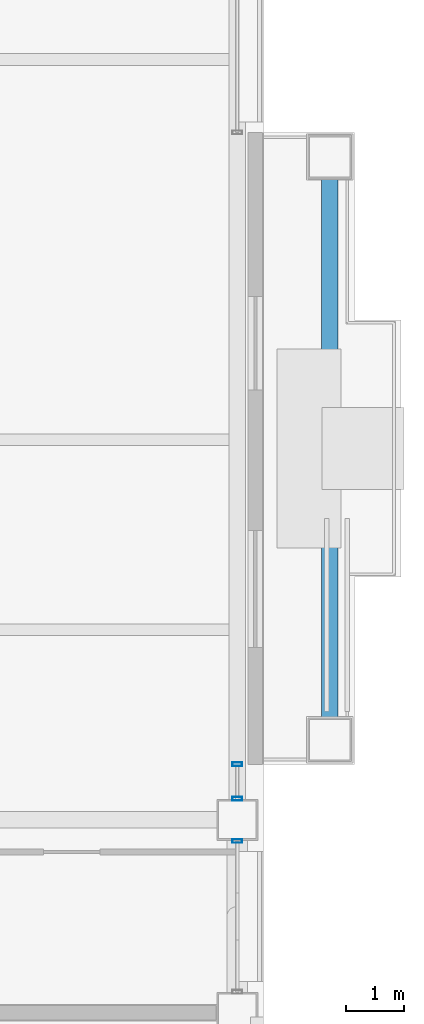
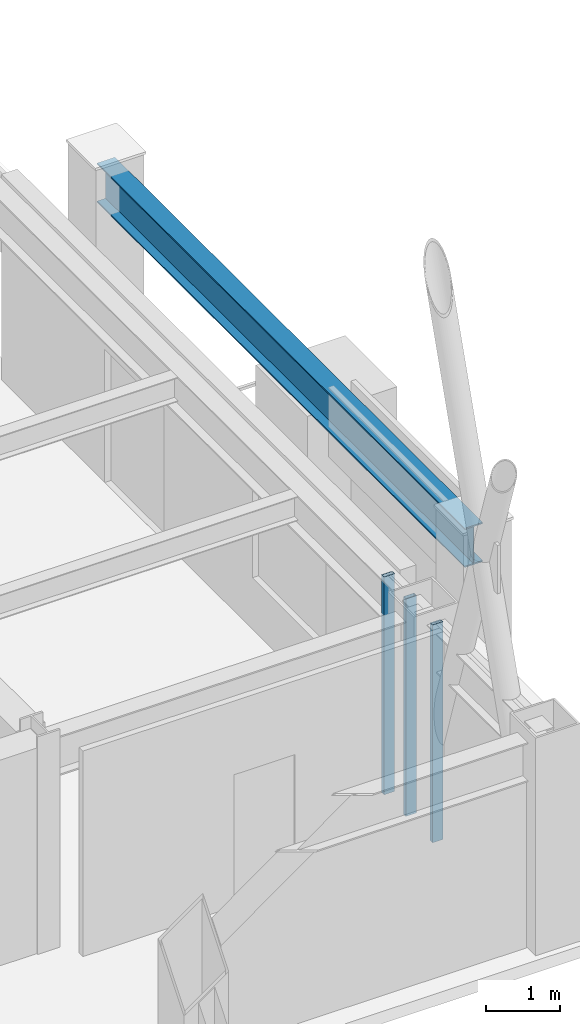
# One storey, part 16 of 33: 3 members, 1 beam, 2 elements without a shape of their own.
"""IFC4 building model written with IfcOpenShell, lengths in metres."""

from ifc_helpers import new_model, si_unit, direction, frame, origin, origin_2d, place, context, subcontext, project, spatial, hollow_rectangle, i_section, extrude, material, layer, layer_set, material_profile, profile_set, type_object, element, aggregate, save


model = new_model("IFC4")

# Units and contexts
model_context = context("Model", 3, precision=1e-05, world=origin(), true_north=direction((0.0, 1.0)))
body_context = subcontext(model_context, "Body", "Model", "MODEL_VIEW")
ifc_project = project(units=[si_unit("LENGTHUNIT", "METRE"), si_unit("AREAUNIT", "SQUARE_METRE"), si_unit("VOLUMEUNIT", "CUBIC_METRE"), si_unit("PLANEANGLEUNIT", "RADIAN"), si_unit("MASSUNIT", "GRAM", prefix="KILO")], contexts=[model_context])

# Site, building, storey
site_placement = place(None, origin())
site = spatial("IfcSite", under=ifc_project, at=site_placement, CompositionType="ELEMENT")
building_placement = place(site_placement, origin())
building = spatial("IfcBuilding", under=site, at=building_placement, Name="Brelmoor Portico Tower", CompositionType="ELEMENT")
storey_placement = place(building_placement, frame((0.0, 0.0, 183.89990234375)))
storey = spatial("IfcBuildingStorey", under=building, at=storey_placement, Name="L48", CompositionType="ELEMENT", Elevation=183.89990234375)

# Beam
ifc_material_1 = material(Name="Steel Q355B", Category="steel")
ifc_material_profile_1 = material_profile(ifc_material_1, i_section(OverallWidth=0.280029296875, OverallDepth=0.64990234375, WebThickness=0.012939453125, FlangeThickness=0.02197265625, at=origin_2d()), Name="HN 650x280x13x22")
ifc_profile_set_1 = profile_set([ifc_material_profile_1], Name="Steel Q355B")
beam_type = type_object("IfcBeamType", Name="BM-SP-650", PredefinedType="SPANDREL", material=ifc_profile_set_1)
beam_placement = place(storey_placement, frame((22.1298828125, -8.3798828125, 3.0751953125), z_axis=(0.0, 1.0, 0.0), x_axis=(-1.0, 0.0, 0.0)))
element("IfcBeam", 1, at=beam_placement, inside=storey, type_object=beam_type, Name="L48 Picture-Frame Perimeter Lintel Beam E1", PredefinedType="SPANDREL", context=body_context, shape_type="SweptSolid", body=[
    extrude(i_section(OverallWidth=0.280029296875, OverallDepth=0.64990234375, WebThickness=0.012939453125, FlangeThickness=0.02197265625, at=origin_2d()), origin(), (0.0, 0.0, 1.0), 9.9599609375),
])

# Curtain wall, member
ifc_material_2 = material(Name="Anodised Aluminium Alloy 6063-T6", Category="aluminium")
ifc_layer_1 = layer(ifc_material_2, 0.179931640625)
ifc_layer_set_1 = layer_set([ifc_layer_1], Name="Anodised Aluminium Alloy 6063-T6")
curtain_wall_type_1 = type_object("IfcCurtainWallType", Name="CW-TOWER-Z3-XB", PredefinedType="NOTDEFINED", material=ifc_layer_set_1)
curtain_wall_1_placement = place(storey_placement, origin())
curtain_wall_1 = element("IfcCurtainWall", 2, at=curtain_wall_1_placement, inside=storey, type_object=curtain_wall_type_1, Name="L48 Curtain Wall CW-L48-4L-1", PredefinedType="NOTDEFINED")
ifc_material_profile_2 = material_profile(ifc_material_2, hollow_rectangle(XDim=0.06494140625, YDim=0.1650390625, WallThickness=0.00390625, at=origin_2d()), Name="ALU MULLION 65x165")
ifc_profile_set_2 = profile_set([ifc_material_profile_2], Name="Anodised Aluminium Alloy 6063-T6")
member_type = type_object("IfcMemberType", Name="MB-CW-MULL-165", PredefinedType="MULLION", material=ifc_profile_set_2)
member_1_placement = place(storey_placement, frame((20.550048828125, -10.110107421875, -0.199951171875), z_axis=(0.0, 0.0, 1.0), x_axis=(0.0, 1.0, 0.0)))
member_1 = element("IfcMember", 3, at=member_1_placement, type_object=member_type, Name="CW-L48-4L-1 Mullion 01", PredefinedType="MULLION", context=body_context, shape_type="SweptSolid", body=[
    extrude(hollow_rectangle(XDim=0.06494140625, YDim=0.1650390625, WallThickness=0.00390625, at=origin_2d()), origin(), (0.0, 0.0, 1.0), 3.60009765625),
])
aggregate(curtain_wall_1, [member_1])

# Curtain wall, members
ifc_layer_2 = layer(ifc_material_2, 0.179931640625)
ifc_layer_set_2 = layer_set([ifc_layer_2], Name="Anodised Aluminium Alloy 6063-T6")
curtain_wall_type_2 = type_object("IfcCurtainWallType", Name="CW-TOWER-Z3", PredefinedType="NOTDEFINED", material=ifc_layer_set_2)
curtain_wall_2_placement = place(storey_placement, origin())
curtain_wall_2 = element("IfcCurtainWall", 4, at=curtain_wall_2_placement, inside=storey, type_object=curtain_wall_type_2, Name="L48 Curtain Wall CW-L48-4L-2", PredefinedType="NOTDEFINED")
member_2_placement = place(storey_placement, frame((20.550048828125, -9.389892578125, -0.199951171875), z_axis=(0.0, 0.0, 1.0), x_axis=(0.0, 1.0, 0.0)))
member_2 = element("IfcMember", 5, at=member_2_placement, type_object=member_type, Name="CW-L48-4L-2 Mullion 00", PredefinedType="MULLION", context=body_context, shape_type="SweptSolid", body=[
    extrude(hollow_rectangle(XDim=0.06494140625, YDim=0.1650390625, WallThickness=0.00390625, at=origin_2d()), origin(), (0.0, 0.0, 1.0), 3.60009765625),
])
member_3_placement = place(storey_placement, frame((20.550048828125, -8.800048828125, -0.199951171875), z_axis=(0.0, 0.0, 1.0), x_axis=(0.0, 1.0, 0.0)))
member_3 = element("IfcMember", 6, at=member_3_placement, type_object=member_type, Name="CW-L48-4L-2 Mullion 01", PredefinedType="MULLION", context=body_context, shape_type="SweptSolid", body=[
    extrude(hollow_rectangle(XDim=0.06494140625, YDim=0.1650390625, WallThickness=0.00390625, at=origin_2d()), origin(), (0.0, 0.0, 1.0), 3.60009765625),
])
aggregate(curtain_wall_2, [member_2, member_3])

save(model, "model.ifc")
